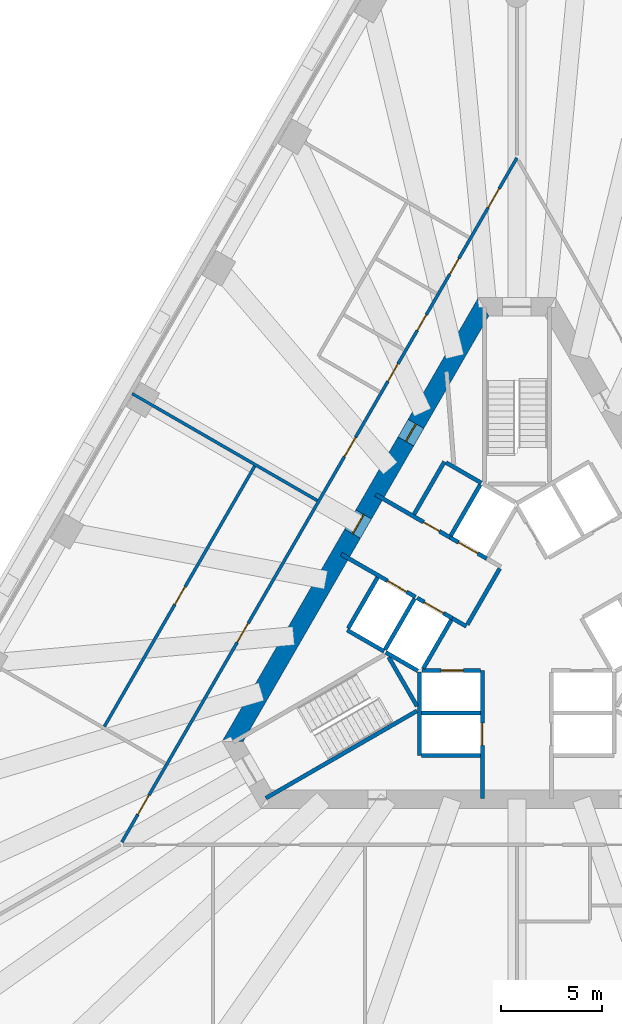
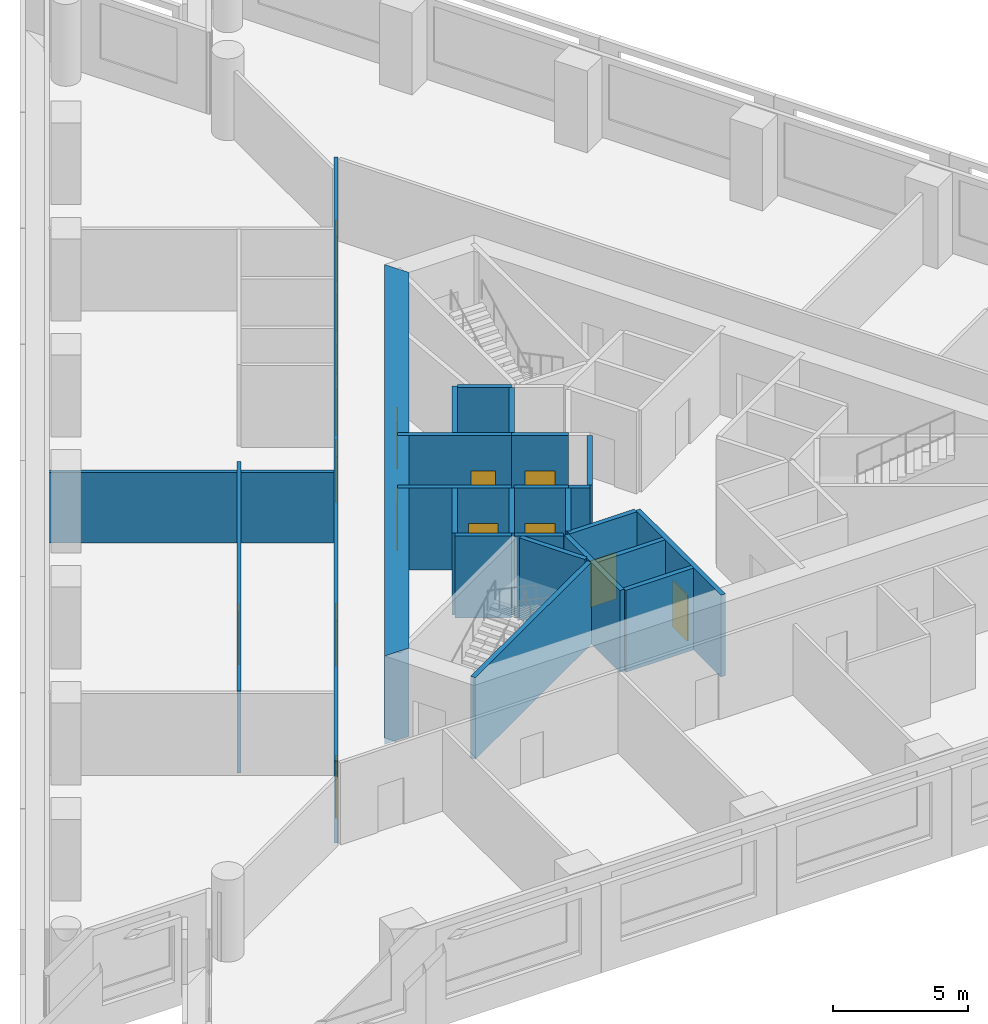
# One storey, part 3 of 9: 25 walls, 16 doors, 16 openings.
"""IFC4 building model written with IfcOpenShell, lengths in metres."""

import ifcopenshell
import ifcopenshell.guid

model = None  # the IFC model being written
_history = None  # IfcOwnerHistory: only IFC2X3 demands one
_inside = {}  # id of a spatial element -> (the spatial element, [elements in it])
_under = {}  # id of a project, library or spatial element -> (it, [spatial elements below it])
_declared = {}  # id of a project -> (the project, [libraries it declares])
_typed = {}  # id of a type object -> (the type object, [elements of that type])
_made_of = {}  # id of a material, layer set ... -> (it, [elements and type objects made of it])


def new_model(schema):
    """Start an empty IFC model of exactly this schema.

    Asked for "IFC4X3", IfcOpenShell would pick the latest addendum, in which some entities
    have other attributes; the version numbers below select the first issue.
    IFC2X3 requires an IfcOwnerHistory on every rooted entity: one is made here for all.
    """
    global model, _history
    if schema == "IFC4X3":
        model = ifcopenshell.file(schema_version=(4, 3, 0, 0))
    else:
        model = ifcopenshell.file(schema=schema)
    _inside.clear()
    _under.clear()
    _declared.clear()
    _typed.clear()
    _made_of.clear()
    _history = None
    if model.schema == "IFC2X3":
        org = make("IfcOrganization", Name="unknown")
        user = make(
            "IfcPersonAndOrganization",
            ThePerson=make("IfcPerson", FamilyName="unknown"),
            TheOrganization=org,
        )
        app = make(
            "IfcApplication",
            ApplicationDeveloper=org,
            Version="unknown",
            ApplicationFullName="unknown",
            ApplicationIdentifier="unknown",
        )
        _history = make(
            "IfcOwnerHistory",
            OwningUser=user,
            OwningApplication=app,
            ChangeAction="ADDED",
            CreationDate=0,
        )
    return model


def make(cls, **values):
    """One entity of the class cls with the attributes given. An attribute that is None is left unset."""
    return model.create_entity(
        cls, **{name: value for name, value in values.items() if value is not None}
    )


def rooted(cls, **values):
    """An entity with a GlobalId (a new one), such as an element, a storey or a relation."""
    return make(cls, GlobalId=ifcopenshell.guid.new(), OwnerHistory=_history, **values)


def si_unit(unit_type, name, prefix=None):
    """IfcSIUnit, for example si_unit("LENGTHUNIT", "METRE", prefix="MILLI")."""
    return make("IfcSIUnit", UnitType=unit_type, Prefix=prefix, Name=name)


def assignment(units):
    """IfcUnitAssignment: the units of a project."""
    return None if units is None else make("IfcUnitAssignment", Units=units)


def point(xyz):
    """IfcCartesianPoint."""
    return None if xyz is None else make("IfcCartesianPoint", Coordinates=xyz)


def direction(xyz):
    """IfcDirection."""
    return None if xyz is None else make("IfcDirection", DirectionRatios=xyz)


def frame(location, z_axis=None, x_axis=None):
    """IfcAxis2Placement3D, a coordinate frame: its origin and axes. An axis left out is left unset."""
    return make(
        "IfcAxis2Placement3D",
        Location=point(location),
        Axis=direction(z_axis),
        RefDirection=direction(x_axis),
    )


def frame_2d(location, x_axis=None):
    """IfcAxis2Placement2D, a coordinate frame in the plane: its origin and x axis."""
    return make(
        "IfcAxis2Placement2D", Location=point(location), RefDirection=direction(x_axis)
    )


def origin():
    """The frame at (0, 0, 0) with its axes left unset."""
    return frame((0.0, 0.0, 0.0))


def place(relative_to, where):
    """IfcLocalPlacement: puts the frame where relative to a parent placement (None: the world)."""
    return make(
        "IfcLocalPlacement", PlacementRelTo=relative_to, RelativePlacement=where
    )


def context(
    kind, dimensions, precision=None, world=None, true_north=None, identifier=None
):
    """IfcGeometricRepresentationContext, for example the 3D "Model" context."""
    return make(
        "IfcGeometricRepresentationContext",
        ContextIdentifier=identifier,
        ContextType=kind,
        CoordinateSpaceDimension=dimensions,
        Precision=precision,
        WorldCoordinateSystem=world,
        TrueNorth=true_north,
    )


def subcontext(parent, identifier, kind, view, scale=None):
    """IfcGeometricRepresentationSubContext, for example "Body" below "Model"."""
    return make(
        "IfcGeometricRepresentationSubContext",
        ContextIdentifier=identifier,
        ContextType=kind,
        ParentContext=parent,
        TargetScale=scale,
        TargetView=view,
    )


def project(units=None, contexts=None):
    """IfcProject with its units and contexts."""
    return rooted(
        "IfcProject",
        Name="project",
        RepresentationContexts=contexts,
        UnitsInContext=assignment(units),
    )


def spatial(cls, under=None, at=None, **own):
    """A site, building, storey or space (cls), placed at a placement, below another one or the project."""
    s = rooted(cls, ObjectPlacement=at, **own)
    if under is not None:
        _under.setdefault(under.id(), (under, []))[1].append(s)
    return s


def polyline(points):
    """IfcPolyline through the points."""
    return make("IfcPolyline", Points=[point(p) for p in points])


def profile(cls, at=None, kind="AREA", **sizes):
    """A parametric profile (cls). Its sizes go by their IFC names, for example OverallWidth=200.0."""
    return make(cls, ProfileType=kind, Position=at, **sizes)


def rectangle(**sizes):
    """IfcRectangleProfileDef."""
    return profile("IfcRectangleProfileDef", **sizes)


def outline(outer, holes=None, kind="AREA"):
    """IfcArbitraryClosedProfileDef: a profile drawn as a closed curve; with holes, ...WithVoids."""
    if holes is None:
        return make("IfcArbitraryClosedProfileDef", ProfileType=kind, OuterCurve=outer)
    return make(
        "IfcArbitraryProfileDefWithVoids",
        ProfileType=kind,
        OuterCurve=outer,
        InnerCurves=holes,
    )


def extrude(swept, where, along, depth):
    """IfcExtrudedAreaSolid: the profile swept, set in the frame where, extruded along a direction by depth."""
    return make(
        "IfcExtrudedAreaSolid",
        SweptArea=swept,
        Position=where,
        ExtrudedDirection=direction(along),
        Depth=depth,
    )


def shape(context_of_items, identifier, shape_type, items):
    """IfcShapeRepresentation: the items that make up one representation, for example the "Body"."""
    return make(
        "IfcShapeRepresentation",
        ContextOfItems=context_of_items,
        RepresentationIdentifier=identifier,
        RepresentationType=shape_type,
        Items=items,
    )


def material(Name=None, Category=None):
    """IfcMaterial."""
    return make("IfcMaterial", Name=Name, Category=Category)


def layer(
    of_material, thickness, ventilated=None, Name=None, Category=None, Priority=None
):
    """IfcMaterialLayer: one layer of a wall or slab, of a material (None: an air gap)."""
    return make(
        "IfcMaterialLayer",
        Material=of_material,
        LayerThickness=thickness,
        IsVentilated=ventilated,
        Name=Name,
        Category=Category,
        Priority=Priority,
    )


def layer_set(layers, Name=None):
    """IfcMaterialLayerSet."""
    return make("IfcMaterialLayerSet", MaterialLayers=layers, LayerSetName=Name)


def made_of(thing, what):
    """Note that an element or type object is made of a material, layer set ...; save() writes the relation."""
    if what is not None:
        _made_of.setdefault(what.id(), (what, []))[1].append(thing)
    return thing


def type_object(cls, material=None, **own):
    """A type object (cls), such as IfcWallType, which elements share."""
    return made_of(rooted(cls, **own), material)


def element(
    cls,
    number,
    at=None,
    inside=None,
    cuts=None,
    type_object=None,
    material=None,
    context=None,
    identifier="Body",
    shape_type=None,
    held_by="IfcProductDefinitionShape",
    body=None,
    shapes=None,
    **own,
):
    """One element of the class cls, such as IfcWall. Its Tag is "e" and its number.

    at: its placement. inside: the storey or other place that contains it. cuts: it is an
    opening in that element (IfcRelVoidsElement). A single representation is given by context,
    identifier, shape_type and body (its items); several are given by shapes. held_by: the class
    of the entity that holds the representations. save() writes the other relations.
    """
    e = rooted(cls, Tag="e%d" % number, ObjectPlacement=at, **own)
    if body is not None:
        shapes = [shape(context, identifier, shape_type, body)]
    if shapes is not None:
        e.Representation = make(held_by, Representations=shapes)
    if inside is not None:
        _inside.setdefault(inside.id(), (inside, []))[1].append(e)
    if cuts is not None:
        rooted(
            "IfcRelVoidsElement", RelatingBuildingElement=cuts, RelatedOpeningElement=e
        )
    if type_object is not None:
        _typed.setdefault(type_object.id(), (type_object, []))[1].append(e)
    return made_of(e, material)


def fill(opening, filler):
    """IfcRelFillsElement: the door or window that sits in an opening."""
    return rooted(
        "IfcRelFillsElement",
        RelatingOpeningElement=opening,
        RelatedBuildingElement=filler,
    )


def aggregate(whole, parts):
    """IfcRelAggregates: a whole, such as a stair, and the parts it consists of."""
    return rooted("IfcRelAggregates", RelatingObject=whole, RelatedObjects=parts)


def save(model, path):
    """Write the relations noted so far, then the file.

    IfcRelAggregates (storeys below a building ...), IfcRelContainedInSpatialStructure (elements
    in a storey), IfcRelDefinesByType, IfcRelAssociatesMaterial and IfcRelDeclares: one each for
    every whole, place, type object, material and project.
    """
    for whole, parts in _under.values():
        aggregate(whole, parts)
    for where, things in _inside.values():
        rooted(
            "IfcRelContainedInSpatialStructure",
            RelatedElements=things,
            RelatingStructure=where,
        )
    for kind, things in _typed.values():
        rooted("IfcRelDefinesByType", RelatedObjects=things, RelatingType=kind)
    for what, things in _made_of.values():
        rooted("IfcRelAssociatesMaterial", RelatedObjects=things, RelatingMaterial=what)
    for by, libraries in _declared.values():
        rooted("IfcRelDeclares", RelatingContext=by, RelatedDefinitions=libraries)
    model.write(path)


model = new_model("IFC4")

# Units and contexts
model_context = context("Model", 3, precision=1e-05, world=origin(), true_north=direction((0.0, 1.0)))
body_context = subcontext(model_context, "Body", "Model", "MODEL_VIEW")
ifc_project = project(units=[si_unit("LENGTHUNIT", "METRE"), si_unit("AREAUNIT", "SQUARE_METRE"), si_unit("VOLUMEUNIT", "CUBIC_METRE"), si_unit("PLANEANGLEUNIT", "RADIAN"), si_unit("MASSUNIT", "GRAM", prefix="KILO")], contexts=[model_context])

# Site, building, storey
site_placement = place(None, origin())
site = spatial("IfcSite", under=ifc_project, at=site_placement, CompositionType="ELEMENT")
building_placement = place(site_placement, origin())
building = spatial("IfcBuilding", under=site, at=building_placement, Name="Triada Interchange Tower", CompositionType="ELEMENT")
storey_placement = place(building_placement, frame((0.0, 0.0, 51.300048828125)))
storey = spatial("IfcBuildingStorey", under=building, at=storey_placement, Name="L10", CompositionType="ELEMENT", Elevation=51.300048828125)

# Walls
ifc_material_1 = material(Name="Concrete C30/37", Category="concrete")
ifc_layer_1 = layer(ifc_material_1, 0.199951171875)
ifc_layer_set_1 = layer_set([ifc_layer_1], Name="CORE WALL 200 EI 120")
wall_type_1 = type_object("IfcWallType", Name="CORE WALL 200 EI 120", PredefinedType="SOLIDWALL", material=ifc_layer_set_1)
wall_1_placement = place(storey_placement, frame((-8.3759765625, -0.70703125, 0.0), z_axis=(0.0, 0.0, 1.0), x_axis=(0.866067520717, -0.499927044236, 0.0)))
element("IfcWall", 1, at=wall_1_placement, inside=storey, type_object=wall_type_1, Name="Wall L09 37", PredefinedType="SOLIDWALL", context=body_context, shape_type="SweptSolid", body=[
    extrude(rectangle(XDim=2.100341796875, YDim=0.199951171875, at=frame_2d((1.05029296875, 0.0))), origin(), (0.0, 0.0, 1.0), 3.699951171875),
])
wall_2_placement = place(storey_placement, frame((-8.325927734375, -0.6201171875, 0.0), z_axis=(0.0, 0.0, 1.0), x_axis=(0.500023687443, 0.866011727401, 0.0)))
element("IfcWall", 2, at=wall_2_placement, inside=storey, type_object=wall_type_1, Name="Wall L09 38", PredefinedType="SOLIDWALL", context=body_context, shape_type="SweptSolid", body=[
    extrude(rectangle(XDim=2.899658203125, YDim=0.199951171875, at=frame_2d((1.44970703125, 0.0))), origin(), (0.0, 0.0, 1.0), 3.699951171875),
])
wall_3_placement = place(storey_placement, frame((-4.699951171875, -4.800048828125, 0.0), z_axis=(0.0, 0.0, 1.0), x_axis=(1.0, 0.0, 0.0)))
element("IfcWall", 3, at=wall_3_placement, inside=storey, type_object=wall_type_1, Name="Wall L09 39", PredefinedType="SOLIDWALL", context=body_context, shape_type="SweptSolid", body=[
    extrude(rectangle(XDim=2.89990234375, YDim=0.199951171875, at=frame_2d((1.449951171875, 0.0))), origin(), (0.0, 0.0, 1.0), 3.699951171875),
])
wall_4_placement = place(storey_placement, frame((-4.800048828125, -6.89990234375, 0.0), z_axis=(0.0, 0.0, 1.0), x_axis=(0.0, 1.0, 0.0)))
element("IfcWall", 4, at=wall_4_placement, inside=storey, type_object=wall_type_1, Name="Wall L09 41", PredefinedType="SOLIDWALL", context=body_context, shape_type="SweptSolid", body=[
    extrude(rectangle(XDim=4.130859375, YDim=0.199951171875, at=frame_2d((2.0654296875, 0.0))), origin(), (0.0, 0.0, 1.0), 3.699951171875),
])
wall_5_placement = place(storey_placement, frame((-4.699951171875, -6.89990234375, 0.0), z_axis=(0.0, 0.0, 1.0), x_axis=(1.0, 0.0, 0.0)))
element("IfcWall", 5, at=wall_5_placement, inside=storey, type_object=wall_type_1, Name="Wall L09 42", PredefinedType="SOLIDWALL", context=body_context, shape_type="SweptSolid", body=[
    extrude(rectangle(XDim=2.89990234375, YDim=0.199951171875, at=frame_2d((1.449951171875, 0.0))), origin(), (0.0, 0.0, 1.0), 3.699951171875),
])

# Wall, opening, door
wall_6_placement = place(storey_placement, frame((-1.699951171875, -9.030029296875, 0.0), z_axis=(0.0, 0.0, 1.0), x_axis=(0.0, 1.0, 0.0)))
wall_6 = element("IfcWall", 6, at=wall_6_placement, inside=storey, type_object=wall_type_1, Name="Wall L09 44", PredefinedType="SOLIDWALL", context=body_context, shape_type="SweptSolid", body=[
    extrude(rectangle(XDim=6.3271484375, YDim=0.199951171875, at=frame_2d((3.16357421875, 0.0))), origin(), (0.0, 0.0, 1.0), 3.699951171875),
])
opening_1_placement = place(wall_6_placement, frame((2.6298828125, 0.0, 0.0)))
opening_1 = element("IfcOpeningElement", 7, at=opening_1_placement, cuts=wall_6, Name="Opening LD-LR4", PredefinedType="OPENING", context=body_context, shape_type="SweptSolid", body=[
    extrude(rectangle(XDim=1.10009765625, YDim=2.10009765625, at=frame_2d((0.550048828125, 1.050048828125))), frame((0.0, 0.10986328125, 0.0), z_axis=(0.0, -1.0, 0.0), x_axis=(1.0, 0.0, 0.0)), (0.0, 0.0, 1.0), 0.219970703125),
])
ifc_material_2 = material(Name="Steel S235 door leaf", Category="steel")
door_type_1 = type_object("IfcDoorType", Name="LIFT LANDING DOOR 1100 EI 120", OperationType="SLIDING_TO_LEFT", PredefinedType="DOOR", material=ifc_material_2)
door_1_placement = place(opening_1_placement, origin())
door_1 = element("IfcDoor", 8, at=door_1_placement, inside=storey, type_object=door_type_1, Name="LR4 landing door L10", OperationType="SLIDING_TO_LEFT", OverallHeight=2.10009765625, OverallWidth=1.10009765625, PredefinedType="DOOR", context=body_context, shape_type="SweptSolid", body=[
    extrude(rectangle(XDim=1.10009765625, YDim=2.10009765625, at=frame_2d((0.550048828125, 1.050048828125))), frame((0.0, 0.02490234375, 0.0), z_axis=(0.0, -1.0, 0.0), x_axis=(1.0, 0.0, 0.0)), (0.0, 0.0, 1.0), 0.050048828125),
])
fill(opening_1, door_1)

wall_7_placement = place(storey_placement, frame((-4.676025390625, -2.699951171875, 0.0), z_axis=(0.0, 0.0, 1.0), x_axis=(1.0, 0.0, 0.0)))
wall_7 = element("IfcWall", 9, at=wall_7_placement, inside=storey, type_object=wall_type_1, Name="Wall L09 45", PredefinedType="SOLIDWALL", context=body_context, shape_type="SweptSolid", body=[
    extrude(rectangle(XDim=2.873046875, YDim=0.199951171875, at=frame_2d((1.4365234375, 0.0))), origin(), (0.0, 0.0, 1.0), 3.699951171875),
])
opening_2_placement = place(wall_7_placement, frame((0.93701171875, 0.0, 0.0)))
opening_2 = element("IfcOpeningElement", 10, at=opening_2_placement, cuts=wall_7, Name="Opening LD-LR3", PredefinedType="OPENING", context=body_context, shape_type="SweptSolid", body=[
    extrude(rectangle(XDim=1.10009765625, YDim=2.10009765625, at=frame_2d((0.550048828125, 1.050048828125))), frame((0.0, 0.10986328125, 0.0), z_axis=(0.0, -1.0, 0.0), x_axis=(1.0, 0.0, 0.0)), (0.0, 0.0, 1.0), 0.219970703125),
])
door_2_placement = place(opening_2_placement, origin())
door_2 = element("IfcDoor", 11, at=door_2_placement, inside=storey, type_object=door_type_1, Name="LR3 landing door L10", OperationType="SLIDING_TO_LEFT", OverallHeight=2.10009765625, OverallWidth=1.10009765625, PredefinedType="DOOR", context=body_context, shape_type="SweptSolid", body=[
    extrude(rectangle(XDim=1.10009765625, YDim=2.10009765625, at=frame_2d((0.550048828125, 1.050048828125))), frame((0.0, 0.02490234375, 0.0), z_axis=(0.0, -1.0, 0.0), x_axis=(1.0, 0.0, 0.0)), (0.0, 0.0, 1.0), 0.050048828125),
])
fill(opening_2, door_2)

ifc_layer_2 = layer(ifc_material_1, 0.199951171875)
ifc_layer_set_2 = layer_set([ifc_layer_2], Name="CORE WALL 200 EI 180")
wall_type_2 = type_object("IfcWallType", Name="CORE WALL 200 EI 180", PredefinedType="SOLIDWALL", material=ifc_layer_set_2)
wall_8_placement = place(storey_placement, frame((-8.669921875, 3.04296875, 0.0), z_axis=(0.0, 0.0, 1.0), x_axis=(0.866029956157, -0.499992114976, 0.0)))
wall_8 = element("IfcWall", 12, at=wall_8_placement, inside=storey, type_object=wall_type_2, Name="Wall L09 59", PredefinedType="SOLIDWALL", context=body_context, shape_type="SweptSolid", body=[
    extrude(rectangle(XDim=4.23193359375, YDim=0.199951171875, at=frame_2d((2.115966796875, 0.0))), origin(), (0.0, 0.0, 1.0), 3.699951171875),
])
opening_3_placement = place(wall_8_placement, frame((2.6298828125, 0.0, 0.0)))
opening_3 = element("IfcOpeningElement", 13, at=opening_3_placement, cuts=wall_8, Name="Opening LD-SV1", PredefinedType="OPENING", context=body_context, shape_type="SweptSolid", body=[
    extrude(rectangle(XDim=1.10009765625, YDim=2.10009765625, at=frame_2d((0.550048828125, 1.050048828125))), frame((0.0, 0.10986328125, 0.0), z_axis=(0.0, -1.0, 0.0), x_axis=(1.0, 0.0, 0.0)), (0.0, 0.0, 1.0), 0.219970703125),
])
door_3_placement = place(opening_3_placement, origin())
door_3 = element("IfcDoor", 14, at=door_3_placement, inside=storey, type_object=door_type_1, Name="SV1 landing door L10", OperationType="SLIDING_TO_LEFT", OverallHeight=2.10009765625, OverallWidth=1.10009765625, PredefinedType="DOOR", context=body_context, shape_type="SweptSolid", body=[
    extrude(rectangle(XDim=1.10009765625, YDim=2.10009765625, at=frame_2d((0.550048828125, 1.050048828125))), frame((0.0, 0.02490234375, 0.0), z_axis=(0.0, -1.0, 0.0), x_axis=(1.0, 0.0, 0.0)), (0.0, 0.0, 1.0), 0.050048828125),
])
fill(opening_3, door_3)

# Wall
wall_9_placement = place(storey_placement, frame((-3.18798828125, -0.1220703125, 0.0), z_axis=(0.0, 0.0, 1.0), x_axis=(0.865705793592, -0.50055317294, 0.0)))
element("IfcWall", 15, at=wall_9_placement, inside=storey, type_object=wall_type_2, Name="Wall L09 60", PredefinedType="SOLIDWALL", context=body_context, shape_type="SweptSolid", body=[
    extrude(rectangle(XDim=0.796875, YDim=0.199951171875, at=frame_2d((0.3984375, 0.0))), origin(), (0.0, 0.0, 1.0), 3.699951171875),
])

# Wall, opening, door
wall_10_placement = place(storey_placement, frame((-6.969970703125, 5.987060546875, 0.0), z_axis=(0.0, 0.0, 1.0), x_axis=(0.866029956157, -0.499992114976, 0.0)))
wall_10 = element("IfcWall", 16, at=wall_10_placement, inside=storey, type_object=wall_type_2, Name="Wall L09 61", PredefinedType="SOLIDWALL", context=body_context, shape_type="SweptSolid", body=[
    extrude(rectangle(XDim=4.23193359375, YDim=0.199951171875, at=frame_2d((2.115966796875, 0.0))), origin(), (0.0, 0.0, 1.0), 3.699951171875),
])
opening_4_placement = place(wall_10_placement, frame((2.72998046875, 0.0, 0.0)))
opening_4 = element("IfcOpeningElement", 17, at=opening_4_placement, cuts=wall_10, Name="Opening D09-10", PredefinedType="OPENING", context=body_context, shape_type="SweptSolid", body=[
    extrude(rectangle(XDim=0.89990234375, YDim=2.10009765625, at=frame_2d((0.449951171875, 1.050048828125))), frame((0.0, 0.10986328125, 0.0), z_axis=(0.0, -1.0, 0.0), x_axis=(1.0, 0.0, 0.0)), (0.0, 0.0, 1.0), 0.219970703125),
])
door_type_2 = type_object("IfcDoorType", Name="SERVICE DOOR 900 EI2 90-C5S200", OperationType="NOTDEFINED", PredefinedType="DOOR", material=ifc_material_2)
door_4_placement = place(opening_4_placement, origin())
door_4 = element("IfcDoor", 18, at=door_4_placement, inside=storey, type_object=door_type_2, Name="Door D09-10 L10", OperationType="SINGLE_SWING_LEFT", OverallHeight=2.10009765625, OverallWidth=0.89990234375, PredefinedType="DOOR", context=body_context, shape_type="SweptSolid", body=[
    extrude(rectangle(XDim=0.89990234375, YDim=2.10009765625, at=frame_2d((0.449951171875, 1.050048828125))), frame((0.0, 0.02490234375, 0.0), z_axis=(0.0, -1.0, 0.0), x_axis=(1.0, 0.0, 0.0)), (0.0, 0.0, 1.0), 0.050048828125),
])
fill(opening_4, door_4)

# Walls
wall_11_placement = place(storey_placement, frame((-5.075927734375, 5.009033203125, 0.0), z_axis=(0.0, 0.0, 1.0), x_axis=(0.50002537861, 0.866010750942, 0.0)))
element("IfcWall", 19, at=wall_11_placement, inside=storey, type_object=wall_type_2, Name="Wall L09 63", PredefinedType="SOLIDWALL", context=body_context, shape_type="SweptSolid", body=[
    extrude(rectangle(XDim=2.999755859375, YDim=0.199951171875, at=frame_2d((1.5, 0.0))), origin(), (0.0, 0.0, 1.0), 3.699951171875),
])
wall_12_placement = place(storey_placement, frame((-3.489013671875, 7.556884765625, 0.0), z_axis=(0.0, 0.0, 1.0), x_axis=(0.866010750942, -0.50002537861, 0.0)))
element("IfcWall", 20, at=wall_12_placement, inside=storey, type_object=wall_type_2, Name="Wall L09 64", PredefinedType="SOLIDWALL", context=body_context, shape_type="SweptSolid", body=[
    extrude(rectangle(XDim=2.0, YDim=0.199951171875, at=frame_2d((1.0, 0.0))), origin(), (0.0, 0.0, 1.0), 3.699951171875),
])
wall_13_placement = place(storey_placement, frame((-2.444091796875, -0.43310546875, 0.0), z_axis=(0.0, 0.0, 1.0), x_axis=(0.500035624827, 0.866004834804, 0.0)))
element("IfcWall", 21, at=wall_13_placement, inside=storey, type_object=wall_type_2, Name="Wall L09 65", PredefinedType="SOLIDWALL", context=body_context, shape_type="SweptSolid", body=[
    extrude(rectangle(XDim=3.194091796875, YDim=0.199951171875, at=frame_2d((1.59716796875, 0.0))), origin(), (0.0, 0.0, 1.0), 3.699951171875),
])
wall_14_placement = place(storey_placement, frame((-6.507080078125, -1.669921875, 0.0), z_axis=(0.0, 0.0, 1.0), x_axis=(0.50012328804, 0.865954211699, 0.0)))
element("IfcWall", 22, at=wall_14_placement, inside=storey, type_object=wall_type_2, Name="Shaft wall FF1 L09 66", PredefinedType="SOLIDWALL", context=body_context, shape_type="SweptSolid", body=[
    extrude(rectangle(XDim=2.899658203125, YDim=0.199951171875, at=frame_2d((1.44970703125, 0.0))), origin(), (0.0, 0.0, 1.0), 3.699951171875),
])
wall_15_placement = place(storey_placement, frame((-6.469970703125, -1.806884765625, 0.0), z_axis=(0.0, 0.0, 1.0), x_axis=(0.865883195159, -0.500246231712, 0.0)))
element("IfcWall", 23, at=wall_15_placement, inside=storey, type_object=wall_type_2, Name="Shaft wall FF1 L09 67", PredefinedType="SOLIDWALL", context=body_context, shape_type="SweptSolid", body=[
    extrude(rectangle(XDim=1.8154296875, YDim=0.199951171875, at=frame_2d((0.90771484375, 0.0))), origin(), (0.0, 0.0, 1.0), 3.699951171875),
])

# Wall, opening, door
wall_16_placement = place(storey_placement, frame((-4.922119140625, 0.87890625, 0.0), z_axis=(0.0, 0.0, 1.0), x_axis=(0.866073918653, -0.499915960366, 0.0)))
wall_16 = element("IfcWall", 24, at=wall_16_placement, inside=storey, type_object=wall_type_2, Name="Shaft wall FF1 L09 68", PredefinedType="SOLIDWALL", context=body_context, shape_type="SweptSolid", body=[
    extrude(rectangle(XDim=2.002197265625, YDim=0.199951171875, at=frame_2d((1.0009765625, 0.0))), origin(), (0.0, 0.0, 1.0), 3.699951171875),
])
opening_5_placement = place(wall_16_placement, frame((0.402099609375, 0.0, 0.0)))
opening_5 = element("IfcOpeningElement", 25, at=opening_5_placement, cuts=wall_16, Name="Opening LD-FF1", PredefinedType="OPENING", context=body_context, shape_type="SweptSolid", body=[
    extrude(rectangle(XDim=1.10009765625, YDim=2.10009765625, at=frame_2d((0.550048828125, 1.050048828125))), frame((0.0, 0.10986328125, 0.0), z_axis=(0.0, -1.0, 0.0), x_axis=(1.0, 0.0, 0.0)), (0.0, 0.0, 1.0), 0.219970703125),
])
door_5_placement = place(opening_5_placement, origin())
door_5 = element("IfcDoor", 26, at=door_5_placement, inside=storey, type_object=door_type_1, Name="FF1 landing door L10", OperationType="SLIDING_TO_LEFT", OverallHeight=2.10009765625, OverallWidth=1.10009765625, PredefinedType="DOOR", context=body_context, shape_type="SweptSolid", body=[
    extrude(rectangle(XDim=1.10009765625, YDim=2.10009765625, at=frame_2d((0.550048828125, 1.050048828125))), frame((0.0, 0.02490234375, 0.0), z_axis=(0.0, -1.0, 0.0), x_axis=(1.0, 0.0, 0.0)), (0.0, 0.0, 1.0), 0.050048828125),
])
fill(opening_5, door_5)

# Wall
wall_17_placement = place(storey_placement, frame((-4.618896484375, -2.60009765625, 0.0), z_axis=(0.0, 0.0, 1.0), x_axis=(0.50009492287, 0.865970593103, 0.0)))
element("IfcWall", 27, at=wall_17_placement, inside=storey, type_object=wall_type_2, Name="Shaft wall FF1 L09 69", PredefinedType="SOLIDWALL", context=body_context, shape_type="SweptSolid", body=[
    extrude(rectangle(XDim=2.76123046875, YDim=0.199951171875, at=frame_2d((1.380615234375, 0.0))), origin(), (0.0, 0.0, 1.0), 3.699951171875),
])

# Wall, opening, door
wall_18_placement = place(storey_placement, frame((-3.30908203125, 3.873046875, 0.0), z_axis=(0.0, 0.0, 1.0), x_axis=(0.866098583652, -0.499873227325, 0.0)))
wall_18 = element("IfcWall", 28, at=wall_18_placement, inside=storey, type_object=wall_type_2, Name="Shaft wall FF2 L09 70", PredefinedType="SOLIDWALL", context=body_context, shape_type="SweptSolid", body=[
    extrude(rectangle(XDim=2.1025390625, YDim=0.199951171875, at=frame_2d((1.05126953125, 0.0))), origin(), (0.0, 0.0, 1.0), 3.699951171875),
])
opening_6_placement = place(wall_18_placement, frame((0.501953125, 0.0, 0.0)))
opening_6 = element("IfcOpeningElement", 29, at=opening_6_placement, cuts=wall_18, Name="Opening LD-FF2", PredefinedType="OPENING", context=body_context, shape_type="SweptSolid", body=[
    extrude(rectangle(XDim=1.10009765625, YDim=2.10009765625, at=frame_2d((0.550048828125, 1.050048828125))), frame((0.0, 0.10986328125, 0.0), z_axis=(0.0, -1.0, 0.0), x_axis=(1.0, 0.0, 0.0)), (0.0, 0.0, 1.0), 0.219970703125),
])
door_6_placement = place(opening_6_placement, origin())
door_6 = element("IfcDoor", 30, at=door_6_placement, inside=storey, type_object=door_type_1, Name="FF2 landing door L10", OperationType="SLIDING_TO_LEFT", OverallHeight=2.10009765625, OverallWidth=1.10009765625, PredefinedType="DOOR", context=body_context, shape_type="SweptSolid", body=[
    extrude(rectangle(XDim=1.10009765625, YDim=2.10009765625, at=frame_2d((0.550048828125, 1.050048828125))), frame((0.0, 0.02490234375, 0.0), z_axis=(0.0, -1.0, 0.0), x_axis=(1.0, 0.0, 0.0)), (0.0, 0.0, 1.0), 0.050048828125),
])
fill(opening_6, door_6)

# Walls
wall_19_placement = place(storey_placement, frame((-3.257080078125, 3.958984375, 0.0), z_axis=(0.0, 0.0, 1.0), x_axis=(0.50012328804, 0.865954211699, 0.0)))
element("IfcWall", 31, at=wall_19_placement, inside=storey, type_object=wall_type_2, Name="Shaft wall FF2 L09 71", PredefinedType="SOLIDWALL", context=body_context, shape_type="SweptSolid", body=[
    extrude(rectangle(XDim=2.899658203125, YDim=0.199951171875, at=frame_2d((1.44970703125, 0.0))), origin(), (0.0, 0.0, 1.0), 3.699951171875),
])
ifc_layer_3 = layer(ifc_material_1, 0.199951171875)
ifc_layer_set_3 = layer_set([ifc_layer_3], Name="CORE WALL 200 REI 240")
wall_type_3 = type_object("IfcWallType", Name="CORE WALL 200 REI 240", PredefinedType="SOLIDWALL", material=ifc_layer_set_3)
wall_20_placement = place(storey_placement, frame((-6.3291015625, -2.0380859375, 0.0), z_axis=(0.0, 0.0, 1.0), x_axis=(0.500200581029, -0.865909567298, 0.0)))
element("IfcWall", 32, at=wall_20_placement, inside=storey, type_object=wall_type_3, Name="Wall L09 76", PredefinedType="SOLIDWALL", context=body_context, shape_type="SweptSolid", body=[
    extrude(rectangle(XDim=2.799072265625, YDim=0.199951171875, at=frame_2d((1.3994140625, 0.0))), origin(), (0.0, 0.0, 1.0), 3.699951171875),
])
wall_21_placement = place(storey_placement, frame((-12.389892578125, -9.0009765625, 0.0), z_axis=(0.0, 0.0, 1.0), x_axis=(0.866010975815, 0.500024989144, 0.0)))
element("IfcWall", 33, at=wall_21_placement, inside=storey, type_object=wall_type_3, Name="Wall L09 77", PredefinedType="SOLIDWALL", context=body_context, shape_type="SweptSolid", body=[
    extrude(rectangle(XDim=8.615234375, YDim=0.199951171875, at=frame_2d((4.3076171875, 0.0))), origin(), (0.0, 0.0, 1.0), 3.699951171875),
])

# Wall, openings, doors
ifc_material_3 = material(Name="Concrete C70/85", Category="concrete")
ifc_layer_4 = layer(ifc_material_3, 0.89990234375)
ifc_layer_set_4 = layer_set([ifc_layer_4], Name="Core wall A 900")
wall_type_4 = type_object("IfcWallType", Name="Core wall A 900", PredefinedType="SHEAR", material=ifc_layer_set_4)
wall_22_placement = place(storey_placement, frame((-1.64501953125, 15.25, -0.300048828125), z_axis=(0.0, 0.0, 1.0), x_axis=(-0.500026485275, -0.866010111964, 0.0)))
wall_22 = element("IfcWall", 34, at=wall_22_placement, inside=storey, type_object=wall_type_4, Name="Core wall WA02 L10", PredefinedType="SHEAR", context=body_context, shape_type="SweptSolid", body=[
    extrude(outline(polyline([(-0.260009765625, -0.449951171875), (1.685302734375, -0.449951171875), (3.63037109375, -0.44970703125), (5.57568359375, -0.44970703125), (7.52099609375, -0.44970703125), (9.466064453125, -0.449462890625), (11.411376953125, -0.449462890625), (13.356689453125, -0.449462890625), (15.302001953125, -0.449462890625), (17.2470703125, -0.44921875), (19.1923828125, -0.44921875), (21.1376953125, -0.44921875), (23.082763671875, -0.448974609375), (25.028076171875, -0.448974609375), (24.509033203125, 0.449951171875), (22.643798828125, 0.449951171875), (20.7783203125, 0.44970703125), (18.9130859375, 0.44970703125), (17.0478515625, 0.44970703125), (15.182373046875, 0.449462890625), (13.317138671875, 0.449462890625), (11.451904296875, 0.449462890625), (9.586669921875, 0.449462890625), (7.72119140625, 0.44921875), (5.85595703125, 0.44921875), (3.99072265625, 0.44921875), (2.125244140625, 0.448974609375), (0.260009765625, 0.448974609375), (-0.260009765625, -0.449951171875)])), origin(), (0.0, 0.0, 1.0), 4.0),
])
opening_7_placement = place(wall_22_placement, frame((11.833984375, 0.0, 0.300048828125)))
opening_7 = element("IfcOpeningElement", 35, at=opening_7_placement, cuts=wall_22, Name="Opening D09-39", PredefinedType="OPENING", context=body_context, shape_type="SweptSolid", body=[
    extrude(rectangle(XDim=1.10009765625, YDim=2.10009765625, at=frame_2d((0.550048828125, 1.050048828125))), frame((0.0, 0.4599609375, 0.0), z_axis=(0.0, -1.0, 0.0), x_axis=(1.0, 0.0, 0.0)), (0.0, 0.0, 1.0), 0.919921875),
])
opening_8_placement = place(wall_22_placement, frame((6.6708984375, 0.0, 0.300048828125)))
opening_8 = element("IfcOpeningElement", 36, at=opening_8_placement, cuts=wall_22, Name="Opening D09-42", PredefinedType="OPENING", context=body_context, shape_type="SweptSolid", body=[
    extrude(rectangle(XDim=1.0, YDim=2.10009765625, at=frame_2d((0.5, 1.050048828125))), frame((0.0, 0.4599609375, 0.0), z_axis=(0.0, -1.0, 0.0), x_axis=(1.0, 0.0, 0.0)), (0.0, 0.0, 1.0), 0.919921875),
])
door_type_3 = type_object("IfcDoorType", Name="FIRE LOBBY DOOR 1100 EI2 90-C5S200", OperationType="NOTDEFINED", PredefinedType="DOOR", material=ifc_material_2)
door_7_placement = place(opening_7_placement, origin())
door_7 = element("IfcDoor", 37, at=door_7_placement, inside=storey, type_object=door_type_3, Name="Door D09-39 L10", OperationType="SINGLE_SWING_LEFT", OverallHeight=2.10009765625, OverallWidth=1.10009765625, PredefinedType="DOOR", context=body_context, shape_type="SweptSolid", body=[
    extrude(rectangle(XDim=1.10009765625, YDim=2.10009765625, at=frame_2d((0.550048828125, 1.050048828125))), frame((0.0, 0.02490234375, 0.0), z_axis=(0.0, -1.0, 0.0), x_axis=(1.0, 0.0, 0.0)), (0.0, 0.0, 1.0), 0.050048828125),
])
fill(opening_7, door_7)
door_type_4 = type_object("IfcDoorType", Name="SERVICE DOOR 1000 EI2 45-C5S200", OperationType="NOTDEFINED", PredefinedType="DOOR", material=ifc_material_2)
door_8_placement = place(opening_8_placement, origin())
door_8 = element("IfcDoor", 38, at=door_8_placement, inside=storey, type_object=door_type_4, Name="Door D09-42 L10", OperationType="SINGLE_SWING_LEFT", OverallHeight=2.10009765625, OverallWidth=1.0, PredefinedType="DOOR", context=body_context, shape_type="SweptSolid", body=[
    extrude(rectangle(XDim=1.0, YDim=2.10009765625, at=frame_2d((0.5, 1.050048828125))), frame((0.0, 0.02490234375, 0.0), z_axis=(0.0, -1.0, 0.0), x_axis=(1.0, 0.0, 0.0)), (0.0, 0.0, 1.0), 0.050048828125),
])
fill(opening_8, door_8)

ifc_material_4 = material(Name="Gypsum board partition")
ifc_layer_5 = layer(ifc_material_4, 0.14990234375)
ifc_layer_set_5 = layer_set([ifc_layer_5], Name="PARTITION 150 EI 180")
wall_type_5 = type_object("IfcWallType", Name="PARTITION 150 EI 180", PredefinedType="PARTITIONING", material=ifc_layer_set_5)
wall_23_placement = place(storey_placement, frame((-19.4970703125, -11.169921875, 0.0), z_axis=(0.0, 0.0, 1.0), x_axis=(0.499998854553, 0.866026065108, 0.0)))
wall_23 = element("IfcWall", 39, at=wall_23_placement, inside=storey, type_object=wall_type_5, Name="Wall L09 4", PredefinedType="PARTITIONING", context=body_context, shape_type="SweptSolid", body=[
    extrude(rectangle(XDim=38.994140625, YDim=0.14990234375, at=frame_2d((19.4970703125, 0.0))), origin(), (0.0, 0.0, 1.0), 3.699951171875),
])
opening_9_placement = place(wall_23_placement, frame((36.14404296875, 0.0, 0.0)))
opening_9 = element("IfcOpeningElement", 40, at=opening_9_placement, cuts=wall_23, Name="Opening D09-27", PredefinedType="OPENING", context=body_context, shape_type="SweptSolid", body=[
    extrude(rectangle(XDim=1.10009765625, YDim=2.10009765625, at=frame_2d((0.550048828125, 1.050048828125))), frame((0.0, 0.0849609375, 0.0), z_axis=(0.0, -1.0, 0.0), x_axis=(1.0, 0.0, 0.0)), (0.0, 0.0, 1.0), 0.169921875),
])
opening_10_placement = place(wall_23_placement, frame((21.962890625, 0.0, 0.0)))
opening_10 = element("IfcOpeningElement", 41, at=opening_10_placement, cuts=wall_23, Name="Opening D09-28", PredefinedType="OPENING", context=body_context, shape_type="SweptSolid", body=[
    extrude(rectangle(XDim=1.10009765625, YDim=2.10009765625, at=frame_2d((0.550048828125, 1.050048828125))), frame((0.0, 0.0849609375, 0.0), z_axis=(0.0, -1.0, 0.0), x_axis=(1.0, 0.0, 0.0)), (0.0, 0.0, 1.0), 0.169921875),
])
opening_11_placement = place(wall_23_placement, frame((32.363037109375, 0.0, 0.0)))
opening_11 = element("IfcOpeningElement", 42, at=opening_11_placement, cuts=wall_23, Name="Opening D09-29", PredefinedType="OPENING", context=body_context, shape_type="SweptSolid", body=[
    extrude(rectangle(XDim=0.89990234375, YDim=2.10009765625, at=frame_2d((0.449951171875, 1.050048828125))), frame((0.0, 0.0849609375, 0.0), z_axis=(0.0, -1.0, 0.0), x_axis=(1.0, 0.0, 0.0)), (0.0, 0.0, 1.0), 0.169921875),
])
opening_12_placement = place(wall_23_placement, frame((29.1630859375, 0.0, 0.0)))
opening_12 = element("IfcOpeningElement", 43, at=opening_12_placement, cuts=wall_23, Name="Opening D09-30", PredefinedType="OPENING", context=body_context, shape_type="SweptSolid", body=[
    extrude(rectangle(XDim=0.89990234375, YDim=2.10009765625, at=frame_2d((0.449951171875, 1.050048828125))), frame((0.0, 0.0849609375, 0.0), z_axis=(0.0, -1.0, 0.0), x_axis=(1.0, 0.0, 0.0)), (0.0, 0.0, 1.0), 0.169921875),
])
opening_13_placement = place(wall_23_placement, frame((26.262939453125, 0.0, 0.0)))
opening_13 = element("IfcOpeningElement", 44, at=opening_13_placement, cuts=wall_23, Name="Opening D09-31", PredefinedType="OPENING", context=body_context, shape_type="SweptSolid", body=[
    extrude(rectangle(XDim=1.0, YDim=2.10009765625, at=frame_2d((0.5, 1.050048828125))), frame((0.0, 0.0849609375, 0.0), z_axis=(0.0, -1.0, 0.0), x_axis=(1.0, 0.0, 0.0)), (0.0, 0.0, 1.0), 0.169921875),
])
opening_14_placement = place(wall_23_placement, frame((11.373046875, 0.0, 0.0)))
opening_14 = element("IfcOpeningElement", 45, at=opening_14_placement, cuts=wall_23, Name="Opening D09-32", PredefinedType="OPENING", context=body_context, shape_type="SweptSolid", body=[
    extrude(rectangle(XDim=1.10009765625, YDim=2.10009765625, at=frame_2d((0.550048828125, 1.050048828125))), frame((0.0, 0.0849609375, 0.0), z_axis=(0.0, -1.0, 0.0), x_axis=(1.0, 0.0, 0.0)), (0.0, 0.0, 1.0), 0.169921875),
])
opening_15_placement = place(wall_23_placement, frame((1.5810546875, 0.0, 0.0)))
opening_15 = element("IfcOpeningElement", 46, at=opening_15_placement, cuts=wall_23, Name="Opening D09-34", PredefinedType="OPENING", context=body_context, shape_type="SweptSolid", body=[
    extrude(rectangle(XDim=1.10009765625, YDim=2.10009765625, at=frame_2d((0.550048828125, 1.050048828125))), frame((0.0, 0.0849609375, 0.0), z_axis=(0.0, -1.0, 0.0), x_axis=(1.0, 0.0, 0.0)), (0.0, 0.0, 1.0), 0.169921875),
])
door_type_5 = type_object("IfcDoorType", Name="ROOM DOOR 1000 EI2 90-C5S200", OperationType="NOTDEFINED", PredefinedType="DOOR", material=ifc_material_2)
door_9_placement = place(opening_13_placement, origin())
door_9 = element("IfcDoor", 47, at=door_9_placement, inside=storey, type_object=door_type_5, Name="Door D09-31 L10", OperationType="SINGLE_SWING_RIGHT", OverallHeight=2.10009765625, OverallWidth=1.0, PredefinedType="DOOR", context=body_context, shape_type="SweptSolid", body=[
    extrude(rectangle(XDim=1.0, YDim=2.10009765625, at=frame_2d((0.5, 1.050048828125))), frame((0.0, 0.02490234375, 0.0), z_axis=(0.0, -1.0, 0.0), x_axis=(1.0, 0.0, 0.0)), (0.0, 0.0, 1.0), 0.050048828125),
])
fill(opening_13, door_9)
door_type_6 = type_object("IfcDoorType", Name="ROOM DOOR 900 EI2 90-C5S200", OperationType="NOTDEFINED", PredefinedType="DOOR", material=ifc_material_2)
door_10_placement = place(opening_11_placement, origin())
door_10 = element("IfcDoor", 48, at=door_10_placement, inside=storey, type_object=door_type_6, Name="Door D09-29 L10", OperationType="SINGLE_SWING_RIGHT", OverallHeight=2.10009765625, OverallWidth=0.89990234375, PredefinedType="DOOR", context=body_context, shape_type="SweptSolid", body=[
    extrude(rectangle(XDim=0.89990234375, YDim=2.10009765625, at=frame_2d((0.449951171875, 1.050048828125))), frame((0.0, 0.02490234375, 0.0), z_axis=(0.0, -1.0, 0.0), x_axis=(1.0, 0.0, 0.0)), (0.0, 0.0, 1.0), 0.050048828125),
])
fill(opening_11, door_10)
door_11_placement = place(opening_12_placement, origin())
door_11 = element("IfcDoor", 49, at=door_11_placement, inside=storey, type_object=door_type_6, Name="Door D09-30 L10", OperationType="SINGLE_SWING_LEFT", OverallHeight=2.10009765625, OverallWidth=0.89990234375, PredefinedType="DOOR", context=body_context, shape_type="SweptSolid", body=[
    extrude(rectangle(XDim=0.89990234375, YDim=2.10009765625, at=frame_2d((0.449951171875, 1.050048828125))), frame((0.0, 0.02490234375, 0.0), z_axis=(0.0, -1.0, 0.0), x_axis=(1.0, 0.0, 0.0)), (0.0, 0.0, 1.0), 0.050048828125),
])
fill(opening_12, door_11)
door_type_7 = type_object("IfcDoorType", Name="TENANCY ENTRANCE DOOR 1100 EI2 90-C5S200", OperationType="NOTDEFINED", PredefinedType="DOOR", material=ifc_material_2)
door_12_placement = place(opening_9_placement, origin())
door_12 = element("IfcDoor", 50, at=door_12_placement, inside=storey, type_object=door_type_7, Name="Door D09-27 L10", OperationType="SINGLE_SWING_RIGHT", OverallHeight=2.10009765625, OverallWidth=1.10009765625, PredefinedType="DOOR", context=body_context, shape_type="SweptSolid", body=[
    extrude(rectangle(XDim=1.10009765625, YDim=2.10009765625, at=frame_2d((0.550048828125, 1.050048828125))), frame((0.0, 0.02490234375, 0.0), z_axis=(0.0, -1.0, 0.0), x_axis=(1.0, 0.0, 0.0)), (0.0, 0.0, 1.0), 0.050048828125),
])
fill(opening_9, door_12)
door_13_placement = place(opening_10_placement, origin())
door_13 = element("IfcDoor", 51, at=door_13_placement, inside=storey, type_object=door_type_7, Name="Door D09-28 L10", OperationType="SINGLE_SWING_RIGHT", OverallHeight=2.10009765625, OverallWidth=1.10009765625, PredefinedType="DOOR", context=body_context, shape_type="SweptSolid", body=[
    extrude(rectangle(XDim=1.10009765625, YDim=2.10009765625, at=frame_2d((0.550048828125, 1.050048828125))), frame((0.0, 0.02490234375, 0.0), z_axis=(0.0, -1.0, 0.0), x_axis=(1.0, 0.0, 0.0)), (0.0, 0.0, 1.0), 0.050048828125),
])
fill(opening_10, door_13)
door_14_placement = place(opening_14_placement, origin())
door_14 = element("IfcDoor", 52, at=door_14_placement, inside=storey, type_object=door_type_7, Name="Door D09-32 L10", OperationType="SINGLE_SWING_RIGHT", OverallHeight=2.10009765625, OverallWidth=1.10009765625, PredefinedType="DOOR", context=body_context, shape_type="SweptSolid", body=[
    extrude(rectangle(XDim=1.10009765625, YDim=2.10009765625, at=frame_2d((0.550048828125, 1.050048828125))), frame((0.0, 0.02490234375, 0.0), z_axis=(0.0, -1.0, 0.0), x_axis=(1.0, 0.0, 0.0)), (0.0, 0.0, 1.0), 0.050048828125),
])
fill(opening_14, door_14)
door_15_placement = place(opening_15_placement, origin())
door_15 = element("IfcDoor", 53, at=door_15_placement, inside=storey, type_object=door_type_7, Name="Door D09-34 L10", OperationType="SINGLE_SWING_LEFT", OverallHeight=2.10009765625, OverallWidth=1.10009765625, PredefinedType="DOOR", context=body_context, shape_type="SweptSolid", body=[
    extrude(rectangle(XDim=1.10009765625, YDim=2.10009765625, at=frame_2d((0.550048828125, 1.050048828125))), frame((0.0, 0.02490234375, 0.0), z_axis=(0.0, -1.0, 0.0), x_axis=(1.0, 0.0, 0.0)), (0.0, 0.0, 1.0), 0.050048828125),
])
fill(opening_15, door_15)

# Wall
wall_24_placement = place(storey_placement, frame((-18.989013671875, 10.964111328125, 0.0), z_axis=(0.0, 0.0, 1.0), x_axis=(0.866011810196, -0.500023544047, 0.0)))
element("IfcWall", 54, at=wall_24_placement, inside=storey, type_object=wall_type_5, Name="Wall L09 6", PredefinedType="PARTITIONING", context=body_context, shape_type="SweptSolid", body=[
    extrude(rectangle(XDim=10.5517578125, YDim=0.14990234375, at=frame_2d((5.27587890625, 0.0))), origin(), (0.0, 0.0, 1.0), 3.199951171875),
])

# Wall, opening, door
ifc_layer_6 = layer(ifc_material_4, 0.14990234375)
ifc_layer_set_6 = layer_set([ifc_layer_6], Name="PARTITION 150 EI 90")
wall_type_6 = type_object("IfcWallType", Name="PARTITION 150 EI 90", PredefinedType="PARTITIONING", material=ifc_layer_set_6)
wall_25_placement = place(storey_placement, frame((-20.362060546875, -5.468017578125, 0.0), z_axis=(0.0, 0.0, 1.0), x_axis=(0.49999393442, 0.866028905721, 0.0)))
wall_25 = element("IfcWall", 55, at=wall_25_placement, inside=storey, type_object=wall_type_6, Name="Wall L09 28", PredefinedType="PARTITIONING", context=body_context, shape_type="SweptSolid", body=[
    extrude(rectangle(XDim=14.842529296875, YDim=0.14990234375, at=frame_2d((7.42138671875, 0.0))), origin(), (0.0, 0.0, 1.0), 3.699951171875),
])
opening_16_placement = place(wall_25_placement, frame((6.967041015625, 0.0, 0.0)))
opening_16 = element("IfcOpeningElement", 56, at=opening_16_placement, cuts=wall_25, Name="Opening D09-33", PredefinedType="OPENING", context=body_context, shape_type="SweptSolid", body=[
    extrude(rectangle(XDim=1.0, YDim=2.10009765625, at=frame_2d((0.5, 1.050048828125))), frame((0.0, 0.0849609375, 0.0), z_axis=(0.0, -1.0, 0.0), x_axis=(1.0, 0.0, 0.0)), (0.0, 0.0, 1.0), 0.169921875),
])
door_type_8 = type_object("IfcDoorType", Name="ROOM DOOR 1000 EI2 45-C5S200", OperationType="NOTDEFINED", PredefinedType="DOOR", material=ifc_material_2)
door_16_placement = place(opening_16_placement, origin())
door_16 = element("IfcDoor", 57, at=door_16_placement, inside=storey, type_object=door_type_8, Name="Door D09-33 L10", OperationType="SINGLE_SWING_LEFT", OverallHeight=2.10009765625, OverallWidth=1.0, PredefinedType="DOOR", context=body_context, shape_type="SweptSolid", body=[
    extrude(rectangle(XDim=1.0, YDim=2.10009765625, at=frame_2d((0.5, 1.050048828125))), frame((0.0, 0.02490234375, 0.0), z_axis=(0.0, -1.0, 0.0), x_axis=(1.0, 0.0, 0.0)), (0.0, 0.0, 1.0), 0.050048828125),
])
fill(opening_16, door_16)

save(model, "model.ifc")
